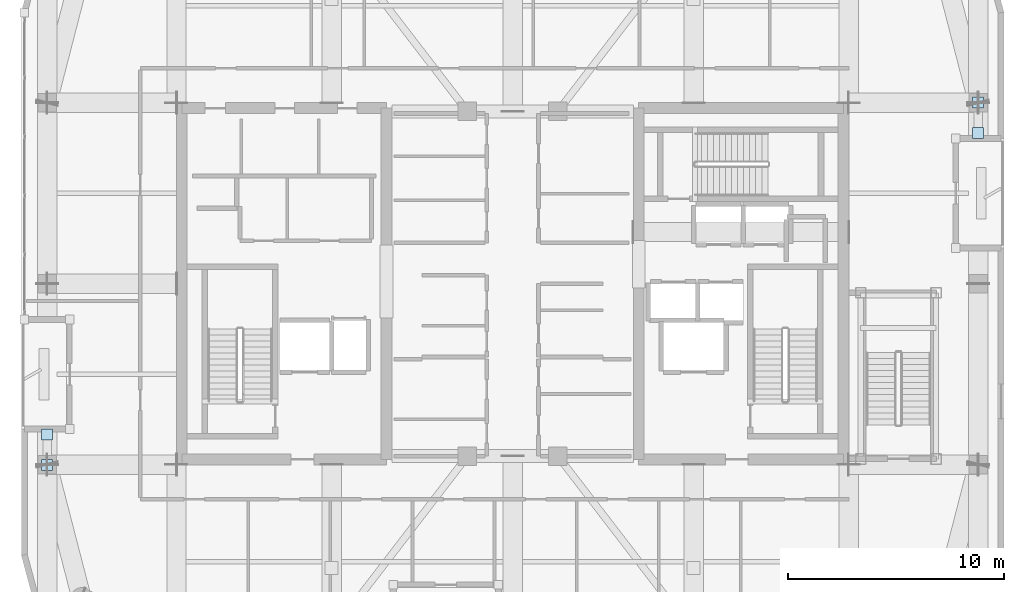
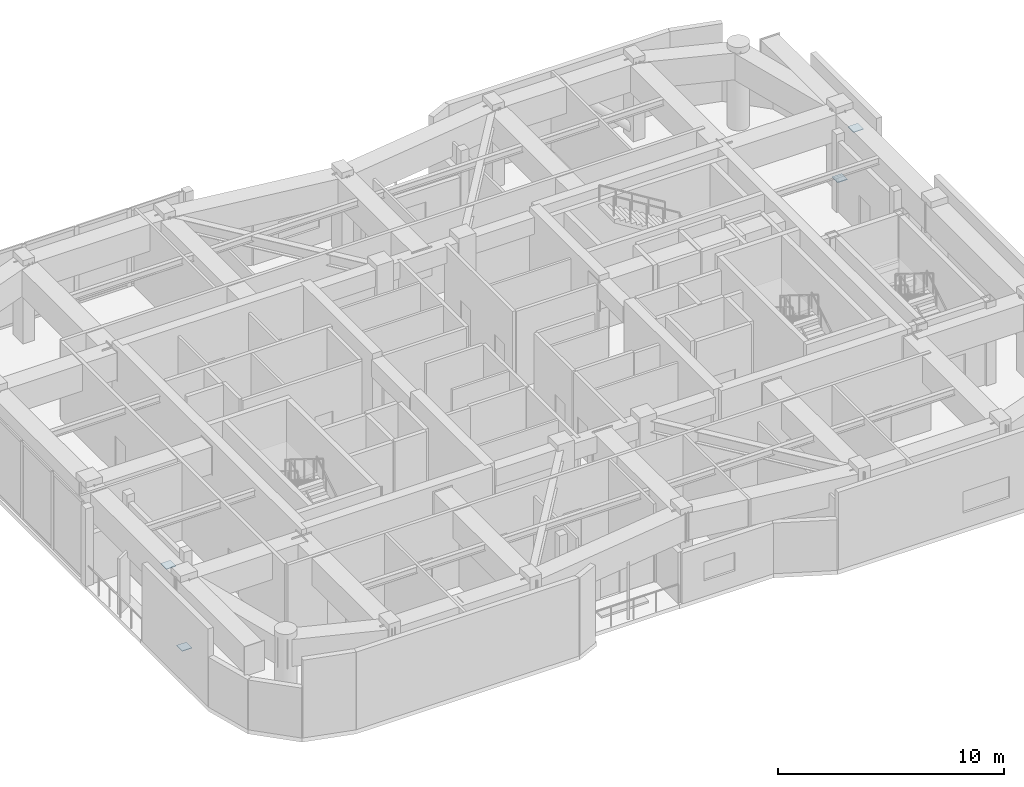
# One storey, part 9 of 17: 4 plates.
"""IFC4 building model written with IfcOpenShell, lengths in metres."""

from ifc_helpers import new_model, si_unit, direction, frame, origin, origin_2d, place, context, subcontext, project, spatial, rectangle, extrude, material, layer, layer_set, type_object, element, save


model = new_model("IFC4")

# Units and contexts
model_context = context("Model", 3, precision=1e-05, world=origin(), true_north=direction((0.0, 1.0)))
body_context = subcontext(model_context, "Body", "Model", "MODEL_VIEW")
ifc_project = project(units=[si_unit("LENGTHUNIT", "METRE"), si_unit("AREAUNIT", "SQUARE_METRE"), si_unit("VOLUMEUNIT", "CUBIC_METRE"), si_unit("PLANEANGLEUNIT", "RADIAN"), si_unit("MASSUNIT", "GRAM", prefix="KILO")], contexts=[model_context])

# Site, building, storey
site_placement = place(None, origin())
site = spatial("IfcSite", under=ifc_project, at=site_placement, CompositionType="ELEMENT")
building_placement = place(site_placement, origin())
building = spatial("IfcBuilding", under=site, at=building_placement, Name="Kiyonajd Concourse Tower", CompositionType="ELEMENT")
storey_placement = place(building_placement, frame((0.0, 0.0, 350.39990234375)))
storey = spatial("IfcBuildingStorey", under=building, at=storey_placement, Name="L88", CompositionType="ELEMENT", Elevation=350.39990234375)

# Plates
ifc_material = material(Name="Steel ASTM A572 Grade 50", Category="steel")
ifc_layer = layer(ifc_material, 0.028076171875)
ifc_layer_set = layer_set([ifc_layer], Name="Steel ASTM A572 Grade 50")
plate_type = type_object("IfcPlateType", Name="PL-CAP-450", PredefinedType="USERDEFINED", material=ifc_layer_set)
for number, where, z_axis, x_axis, name in (
    (1, (26.39990234375, 27.595947265625, 0.27587890625), (0.0, 0.0, 1.0), (1.0, 0.0, 0.0), "L88 Hollow Brace End Cap Plate PBW"),
    (2, (26.39990234375, 29.00390625, 3.84619140625), (0.0, 0.0, 1.0), (1.0, 0.0, 0.0), "L88 Hollow Brace Top Cap Plate PBW"),
    (3, (69.60009765625, 44.404052734375, 0.27587890625), (0.0, 0.0, 1.0), (1.0, 0.0, 0.0), "L88 Hollow Brace End Cap Plate PBE"),
    (4, (69.60009765625, 42.99609375, 3.84619140625), (0.0, 0.0, 1.0), (1.0, 0.0, 0.0), "L88 Hollow Brace Top Cap Plate PBE"),
):
    element("IfcPlate", number, at=place(storey_placement, frame(where, z_axis=z_axis, x_axis=x_axis)), inside=storey, type_object=plate_type, Name=name, ObjectType="CAP PLATE", PredefinedType="USERDEFINED", context=body_context, shape_type="SweptSolid", body=[
        extrude(rectangle(XDim=0.506103515625, YDim=0.506103515625, at=origin_2d()), origin(), (0.0, 0.0, 1.0), 0.028076171875),
    ])

save(model, "model.ifc")
